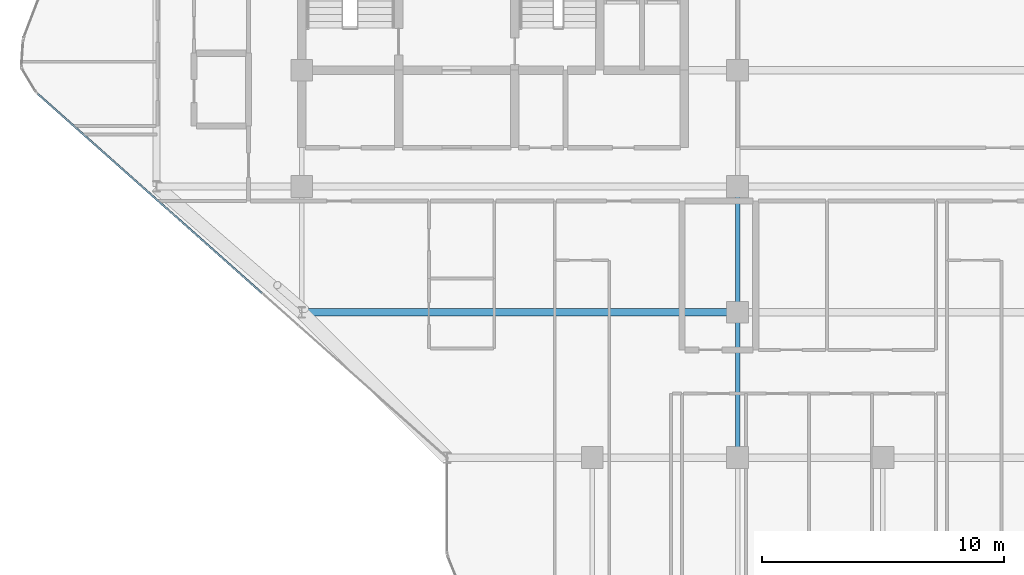
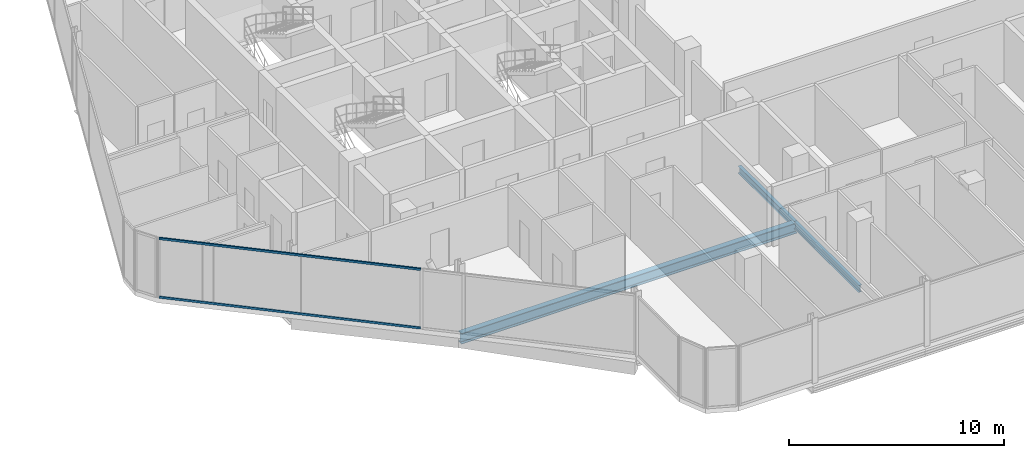
# One storey, part 7 of 29: 3 beams, 2 members, 1 element without a shape of its own.
"""IFC4 building model written with IfcOpenShell, lengths in metres."""

from ifc_helpers import new_model, si_unit, direction, frame, origin, origin_2d, place, context, subcontext, project, spatial, hollow_rectangle, i_section, extrude, material, layer, layer_set, material_profile, profile_set, type_object, element, aggregate, save


model = new_model("IFC4")

# Units and contexts
model_context = context("Model", 3, precision=1e-05, world=origin(), true_north=direction((0.0, 1.0)))
body_context = subcontext(model_context, "Body", "Model", "MODEL_VIEW")
ifc_project = project(units=[si_unit("LENGTHUNIT", "METRE"), si_unit("AREAUNIT", "SQUARE_METRE"), si_unit("VOLUMEUNIT", "CUBIC_METRE"), si_unit("PLANEANGLEUNIT", "RADIAN"), si_unit("MASSUNIT", "GRAM", prefix="KILO")], contexts=[model_context])

# Site, building, storey
site_placement = place(None, origin())
site = spatial("IfcSite", under=ifc_project, at=site_placement, CompositionType="ELEMENT")
building_placement = place(site_placement, origin())
building = spatial("IfcBuilding", under=site, at=building_placement, Name="Keshet Zoharim Tower", CompositionType="ELEMENT")
storey_placement = place(building_placement, frame((0.0, 0.0, 176.5)))
storey = spatial("IfcBuildingStorey", under=building, at=storey_placement, Name="L43", CompositionType="ELEMENT", Elevation=176.5)

# Beams
ifc_material_1 = material(Name="Steel S355", Category="steel")
ifc_material_profile_1 = material_profile(ifc_material_1, i_section(OverallWidth=0.300048828125, OverallDepth=0.60009765625, WebThickness=0.015380859375, FlangeThickness=0.030029296875, FilletRadius=0.027099609375, at=origin_2d()), Name="HEB600")
ifc_profile_set_1 = profile_set([ifc_material_profile_1], Name="Steel S355")
beam_type_1 = type_object("IfcBeamType", Name="BM-LNG-HB600", PredefinedType="BEAM", material=ifc_profile_set_1)
beam_1_placement = place(storey_placement, frame((15.0, 12.699951171875, -0.610107421875), z_axis=(1.0, 0.0, 0.0), x_axis=(0.0, 1.0, 0.0)))
element("IfcBeam", 1, at=beam_1_placement, inside=storey, type_object=beam_type_1, Name="L43 Primary Girder X-009", PredefinedType="BEAM", context=body_context, shape_type="SweptSolid", body=[
    extrude(i_section(OverallWidth=0.300048828125, OverallDepth=0.60009765625, WebThickness=0.015380859375, FlangeThickness=0.030029296875, FilletRadius=0.027099609375, at=origin_2d()), origin(), (0.0, 0.0, 1.0), 18.0),
])
ifc_material_profile_2 = material_profile(ifc_material_1, i_section(OverallWidth=0.179931640625, OverallDepth=0.39990234375, WebThickness=0.008544921875, FlangeThickness=0.013427734375, FilletRadius=0.02099609375, at=origin_2d()), Name="IPE400")
ifc_profile_set_2 = profile_set([ifc_material_profile_2], Name="Steel S355")
beam_type_2 = type_object("IfcBeamType", Name="BM-PRI-IP400", PredefinedType="BEAM", material=ifc_profile_set_2)
beam_2_placement = place(storey_placement, frame((33.0, 6.699951171875, -0.510009765625), z_axis=(0.0, 1.0, 0.0), x_axis=(-1.0, 0.0, 0.0)))
element("IfcBeam", 2, at=beam_2_placement, inside=storey, type_object=beam_type_2, Name="L43 Primary Girder Y-006", PredefinedType="BEAM", context=body_context, shape_type="SweptSolid", body=[
    extrude(i_section(OverallWidth=0.179931640625, OverallDepth=0.39990234375, WebThickness=0.008544921875, FlangeThickness=0.013427734375, FilletRadius=0.02099609375, at=origin_2d()), origin(), (0.0, 0.0, 1.0), 6.0),
])
beam_3_placement = place(storey_placement, frame((33.0, 12.699951171875, -0.510009765625), z_axis=(0.0, 1.0, 0.0), x_axis=(-1.0, 0.0, 0.0)))
element("IfcBeam", 3, at=beam_3_placement, inside=storey, type_object=beam_type_2, Name="L43 Primary Girder Y-007", PredefinedType="BEAM", context=body_context, shape_type="SweptSolid", body=[
    extrude(i_section(OverallWidth=0.179931640625, OverallDepth=0.39990234375, WebThickness=0.008544921875, FlangeThickness=0.013427734375, FilletRadius=0.02099609375, at=origin_2d()), origin(), (0.0, 0.0, 1.0), 5.199951171875),
])

# Curtain wall, members
ifc_material_2 = material(Name="Aluminium 6063-T6", Category="aluminium")
ifc_layer = layer(ifc_material_2, 0.139892578125)
ifc_layer_set = layer_set([ifc_layer], Name="Aluminium 6063-T6")
curtain_wall_type = type_object("IfcCurtainWallType", Name="CW-SYS-05", PredefinedType="NOTDEFINED", material=ifc_layer_set)
curtain_wall_placement = place(storey_placement, origin())
curtain_wall = element("IfcCurtainWall", 4, at=curtain_wall_placement, inside=storey, type_object=curtain_wall_type, Name="L43 Unitised Curtain Wall 10 Part 3", PredefinedType="NOTDEFINED")
ifc_material_profile_3 = material_profile(ifc_material_2, hollow_rectangle(XDim=0.074951171875, YDim=0.1201171875, WallThickness=0.00390625, at=origin_2d()), Name="TRN-75x120")
ifc_profile_set_3 = profile_set([ifc_material_profile_3], Name="Aluminium 6063-T6")
member_type = type_object("IfcMemberType", Name="CWT-T12", PredefinedType="USERDEFINED", material=ifc_profile_set_3)
member_1_placement = place(storey_placement, frame((13.3623046875, 13.489013671875, 0.034912109375), z_axis=(-0.747408233231, 0.664365059962, 0.0), x_axis=(-0.664365059962, -0.747408233231, 0.0)))
member_1 = element("IfcMember", 5, at=member_1_placement, type_object=member_type, Name="CW-05 transom 1.1", ObjectType="TRANSOM", PredefinedType="USERDEFINED", context=body_context, shape_type="SweptSolid", body=[
    extrude(hollow_rectangle(XDim=0.074951171875, YDim=0.1201171875, WallThickness=0.00390625, at=origin_2d()), origin(), (0.0, 0.0, 1.0), 12.409423828125),
])
member_2_placement = place(storey_placement, frame((13.3623046875, 13.489013671875, 3.35498046875), z_axis=(-0.747408233231, 0.664365059962, 0.0), x_axis=(-0.664365059962, -0.747408233231, 0.0)))
member_2 = element("IfcMember", 6, at=member_2_placement, type_object=member_type, Name="CW-05 transom 1.2", ObjectType="TRANSOM", PredefinedType="USERDEFINED", context=body_context, shape_type="SweptSolid", body=[
    extrude(hollow_rectangle(XDim=0.074951171875, YDim=0.1201171875, WallThickness=0.00390625, at=origin_2d()), origin(), (0.0, 0.0, 1.0), 12.409423828125),
])
aggregate(curtain_wall, [member_1, member_2])

save(model, "model.ifc")
